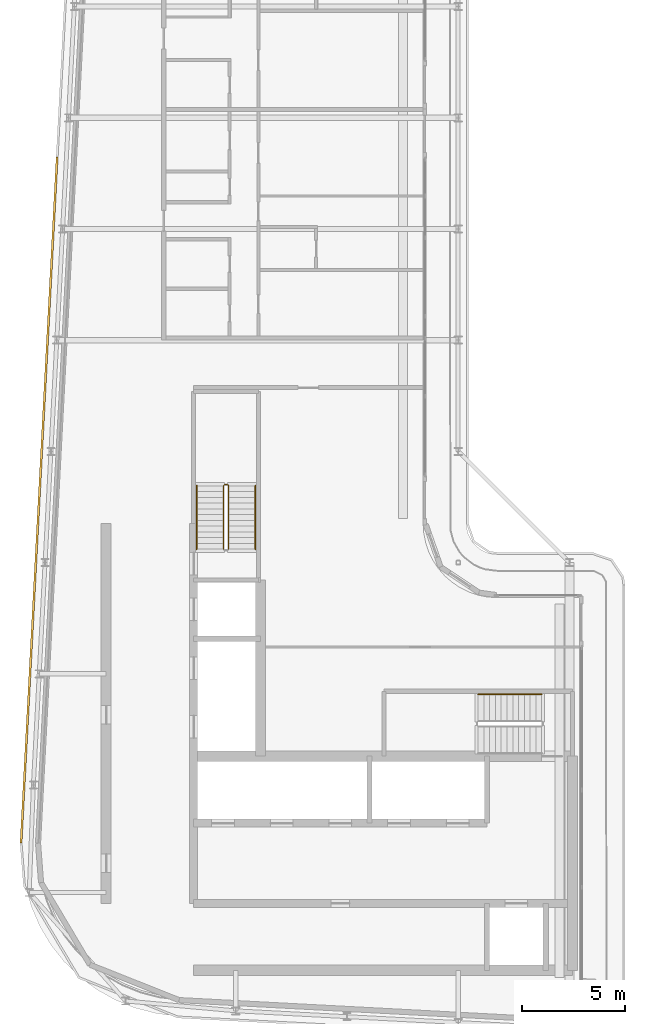
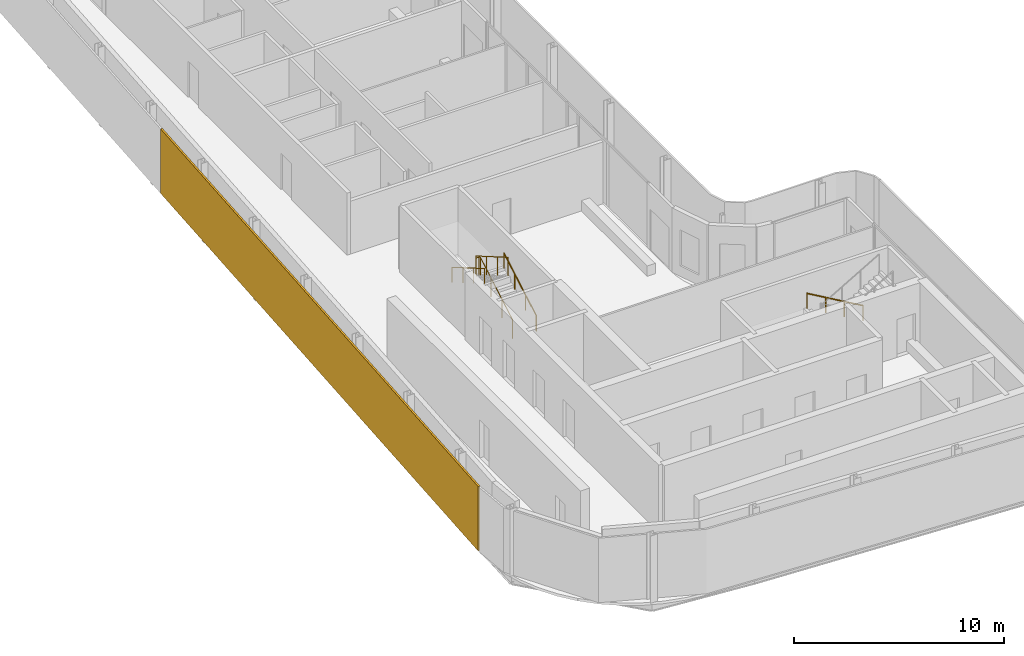
# One storey, part 15 of 18: 4 railings, 1 shading device.
"""IFC4 building model written with IfcOpenShell, lengths in metres."""

from ifc_helpers import new_model, si_unit, direction, frame, origin, origin_2d, place, context, subcontext, project, spatial, rectangle, circle, extrude, material, layer, layer_set, type_object, element, save


model = new_model("IFC4")

# Units and contexts
model_context = context("Model", 3, precision=1e-05, world=origin(), true_north=direction((0.0, 1.0)))
body_context = subcontext(model_context, "Body", "Model", "MODEL_VIEW")
ifc_project = project(units=[si_unit("LENGTHUNIT", "METRE"), si_unit("AREAUNIT", "SQUARE_METRE"), si_unit("VOLUMEUNIT", "CUBIC_METRE"), si_unit("PLANEANGLEUNIT", "RADIAN"), si_unit("MASSUNIT", "GRAM", prefix="KILO")], contexts=[model_context])

# Site, building, storey
site_placement = place(None, origin())
site = spatial("IfcSite", under=ifc_project, at=site_placement, CompositionType="ELEMENT")
building_placement = place(site_placement, origin())
building = spatial("IfcBuilding", under=site, at=building_placement, Name="Kheshtan School and Residences Tower", CompositionType="ELEMENT")
storey_placement = place(building_placement, frame((0.0, 0.0, 373.39990234375)))
storey = spatial("IfcBuildingStorey", under=building, at=storey_placement, Name="L88", CompositionType="ELEMENT", Elevation=373.39990234375)

# Shading device
ifc_material_1 = material(Name="Terracotta baguette, extruded ceramic", Category="masonry")
ifc_layer = layer(ifc_material_1, 0.10009765625)
ifc_layer_set = layer_set([ifc_layer], Name="Ledge screen, terracotta baguettes")
shading_device_type = type_object("IfcShadingDeviceType", Name="Ledge screen, terracotta baguettes", PredefinedType="USERDEFINED", material=ifc_layer_set)
shading_device_placement = place(storey_placement, frame((27.24609375, 48.638916015625, 0.0), z_axis=(0.0, 0.0, 1.0), x_axis=(0.052562536748, 0.998617634398, 0.0)))
element("IfcShadingDevice", 1, at=shading_device_placement, inside=storey, type_object=shading_device_type, Name="Screen L88 4", ObjectType="BAGUETTE", PredefinedType="USERDEFINED", context=body_context, shape_type="SweptSolid", body=[
    extrude(rectangle(XDim=33.341064453125, YDim=0.10009765625, at=origin_2d()), origin(), (0.0, 0.0, 1.0), 3.75),
])

# Railings
ifc_material_2 = material(Name="Stainless steel balustrade", Category="steel")
railing_type_1 = type_object("IfcRailingType", Name="Stair guard 1100", PredefinedType="GUARDRAIL", material=ifc_material_2)
railing_1_placement = place(storey_placement, frame((36.449951171875, 46.25, 0.16259765625)))
element("IfcRailing", 2, at=railing_1_placement, inside=storey, type_object=railing_type_1, Name="L88 ST2 stair guard 1", PredefinedType="GUARDRAIL", context=body_context, shape_type="SweptSolid", body=[
    extrude(circle(Radius=0.02392578125, at=origin_2d()), frame((0.0, 0.0, 1.076171875), z_axis=(0.0, 0.864890721111, 0.501960198159), x_axis=(-1.0, 0.0, 0.0)), (0.0, 0.0, 1.0), 3.561279296875),
    extrude(circle(Radius=0.02392578125, at=origin_2d()), frame((0.0, 3.080078125, 2.86376953125), z_axis=(-0.708833529934, 0.705375805398, 0.0), x_axis=(-0.705375805398, -0.708833529934, 0.0)), (0.0, 0.0, 1.0), 0.070556640625),
    extrude(circle(Radius=0.02392578125, at=origin_2d()), frame((-0.050048828125, 3.1298828125, 2.86376953125), z_axis=(-1.0, 0.0, 0.0), x_axis=(0.0, -1.0, 0.0)), (0.0, 0.0, 1.0), 0.14990234375),
    extrude(circle(Radius=0.02392578125, at=origin_2d()), frame((-0.199951171875, 3.1298828125, 2.86376953125), z_axis=(-0.282693820306, -0.281314826061, 0.917031173188), x_axis=(0.705375805398, -0.708833529934, 0.0)), (0.0, 0.0, 1.0), 0.177001953125),
    extrude(circle(Radius=0.02392578125, at=origin_2d()), frame((-0.25, 3.080078125, 3.02587890625), z_axis=(0.0, -0.864890721111, 0.501960198159), x_axis=(1.0, 0.0, 0.0)), (0.0, 0.0, 1.0), 3.561279296875),
    extrude(circle(Radius=0.02099609375, at=origin_2d()), origin(), (0.0, 0.0, 1.0), 1.052001953125),
    extrude(circle(Radius=0.02099609375, at=origin_2d()), frame((0.0, 1.026611328125, 0.595947265625)), (0.0, 0.0, 1.0), 1.052001953125),
    extrude(circle(Radius=0.02099609375, at=origin_2d()), frame((0.0, 2.053466796875, 1.191650390625)), (0.0, 0.0, 1.0), 1.052001953125),
    extrude(circle(Radius=0.02099609375, at=origin_2d()), frame((0.0, 3.080078125, 1.78759765625)), (0.0, 0.0, 1.0), 1.052001953125),
    extrude(circle(Radius=0.02099609375, at=origin_2d()), frame((-0.050048828125, 3.1298828125, 1.78759765625)), (0.0, 0.0, 1.0), 1.052001953125),
    extrude(circle(Radius=0.02099609375, at=origin_2d()), frame((-0.199951171875, 3.1298828125, 1.78759765625)), (0.0, 0.0, 1.0), 1.052001953125),
    extrude(circle(Radius=0.02099609375, at=origin_2d()), frame((-0.25, 3.080078125, 1.949951171875)), (0.0, 0.0, 1.0), 1.052001953125),
    extrude(circle(Radius=0.02099609375, at=origin_2d()), frame((-0.25, 2.053466796875, 2.5458984375)), (0.0, 0.0, 1.0), 1.052001953125),
    extrude(circle(Radius=0.02099609375, at=origin_2d()), frame((-0.25, 1.026611328125, 3.1416015625)), (0.0, 0.0, 1.0), 1.052001953125),
    extrude(circle(Radius=0.02099609375, at=origin_2d()), frame((-0.25, 0.0, 3.737548828125)), (0.0, 0.0, 1.0), 1.052001953125),
])
ifc_material_3 = material(Name="Stainless steel handrail", Category="steel")
railing_type_2 = type_object("IfcRailingType", Name="Stair handrail 900", PredefinedType="HANDRAIL", material=ifc_material_3)
railing_2_placement = place(storey_placement, frame((51.64990234375, 39.199951171875, 0.16259765625)))
element("IfcRailing", 3, at=railing_2_placement, inside=storey, type_object=railing_type_2, Name="L88 ST1 stair handrail 1", PredefinedType="HANDRAIL", context=body_context, shape_type="SweptSolid", body=[
    extrude(circle(Radius=0.02392578125, at=origin_2d()), frame((0.0, 0.0, 0.8759765625), z_axis=(-0.864873446163, 0.0, 0.501989962173), x_axis=(0.0, -1.0, 0.0)), (0.0, 0.0, 1.0), 3.56103515625),
    extrude(circle(Radius=0.02099609375, at=origin_2d()), origin(), (0.0, 0.0, 1.0), 0.851806640625),
    extrude(circle(Radius=0.02099609375, at=origin_2d()), frame((-1.026611328125, 0.0, 0.595947265625)), (0.0, 0.0, 1.0), 0.851806640625),
    extrude(circle(Radius=0.02099609375, at=origin_2d()), frame((-2.05322265625, 0.0, 1.191650390625)), (0.0, 0.0, 1.0), 0.851806640625),
    extrude(circle(Radius=0.02099609375, at=origin_2d()), frame((-3.079833984375, 0.0, 1.78759765625)), (0.0, 0.0, 1.0), 0.851806640625),
])
railing_3_placement = place(storey_placement, frame((37.75, 46.25, 0.16259765625)))
element("IfcRailing", 4, at=railing_3_placement, inside=storey, type_object=railing_type_2, Name="L88 ST2 stair handrail 1", PredefinedType="HANDRAIL", context=body_context, shape_type="SweptSolid", body=[
    extrude(circle(Radius=0.02392578125, at=origin_2d()), frame((0.0, 0.0, 0.8759765625), z_axis=(0.0, 0.864890721111, 0.501960198159), x_axis=(-1.0, 0.0, 0.0)), (0.0, 0.0, 1.0), 3.561279296875),
    extrude(circle(Radius=0.02099609375, at=origin_2d()), origin(), (0.0, 0.0, 1.0), 0.851806640625),
    extrude(circle(Radius=0.02099609375, at=origin_2d()), frame((0.0, 1.026611328125, 0.595947265625)), (0.0, 0.0, 1.0), 0.851806640625),
    extrude(circle(Radius=0.02099609375, at=origin_2d()), frame((0.0, 2.053466796875, 1.191650390625)), (0.0, 0.0, 1.0), 0.851806640625),
    extrude(circle(Radius=0.02099609375, at=origin_2d()), frame((0.0, 3.080078125, 1.78759765625)), (0.0, 0.0, 1.0), 0.851806640625),
])
railing_4_placement = place(storey_placement, frame((34.89990234375, 49.330078125, 2.112548828125)))
element("IfcRailing", 5, at=railing_4_placement, inside=storey, type_object=railing_type_2, Name="L88 ST2 stair handrail 2", PredefinedType="HANDRAIL", context=body_context, shape_type="SweptSolid", body=[
    extrude(circle(Radius=0.02392578125, at=origin_2d()), frame((0.0, 0.0, 0.8759765625), z_axis=(0.0, -0.864890721111, 0.501960198159), x_axis=(1.0, 0.0, 0.0)), (0.0, 0.0, 1.0), 3.561279296875),
    extrude(circle(Radius=0.02099609375, at=origin_2d()), origin(), (0.0, 0.0, 1.0), 0.851806640625),
    extrude(circle(Radius=0.02099609375, at=origin_2d()), frame((0.0, -1.026611328125, 0.595947265625)), (0.0, 0.0, 1.0), 0.851806640625),
    extrude(circle(Radius=0.02099609375, at=origin_2d()), frame((0.0, -2.053466796875, 1.191650390625)), (0.0, 0.0, 1.0), 0.851806640625),
    extrude(circle(Radius=0.02099609375, at=origin_2d()), frame((0.0, -3.080078125, 1.78759765625)), (0.0, 0.0, 1.0), 0.851806640625),
])

save(model, "model.ifc")
